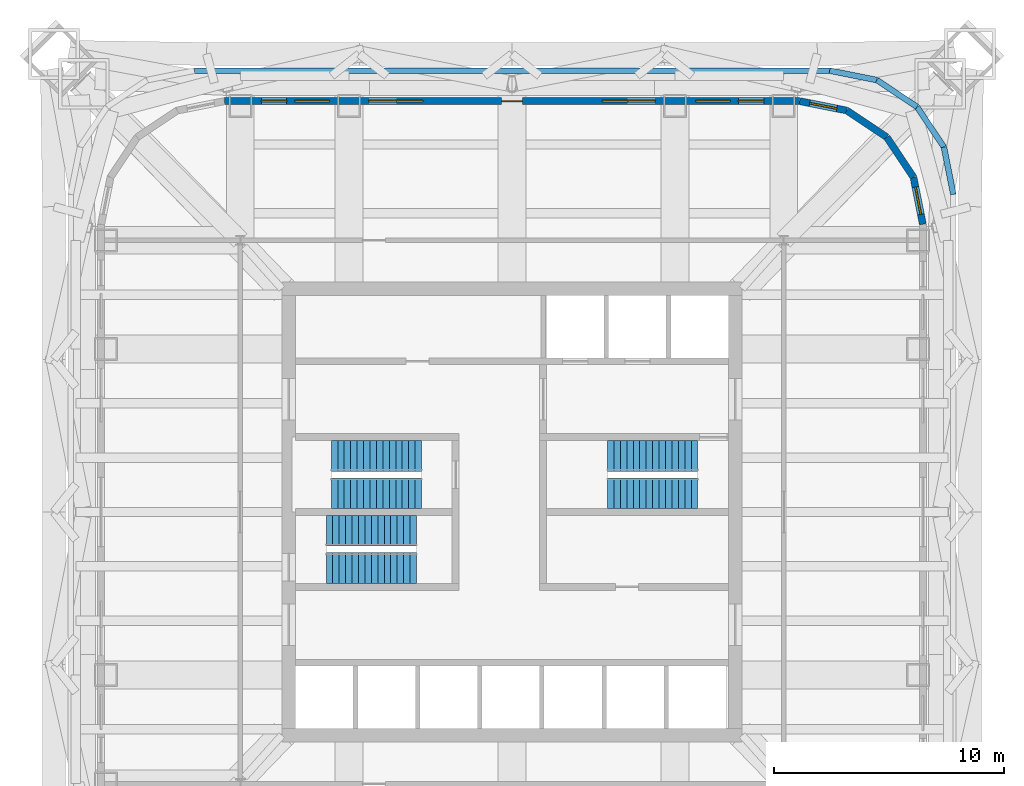
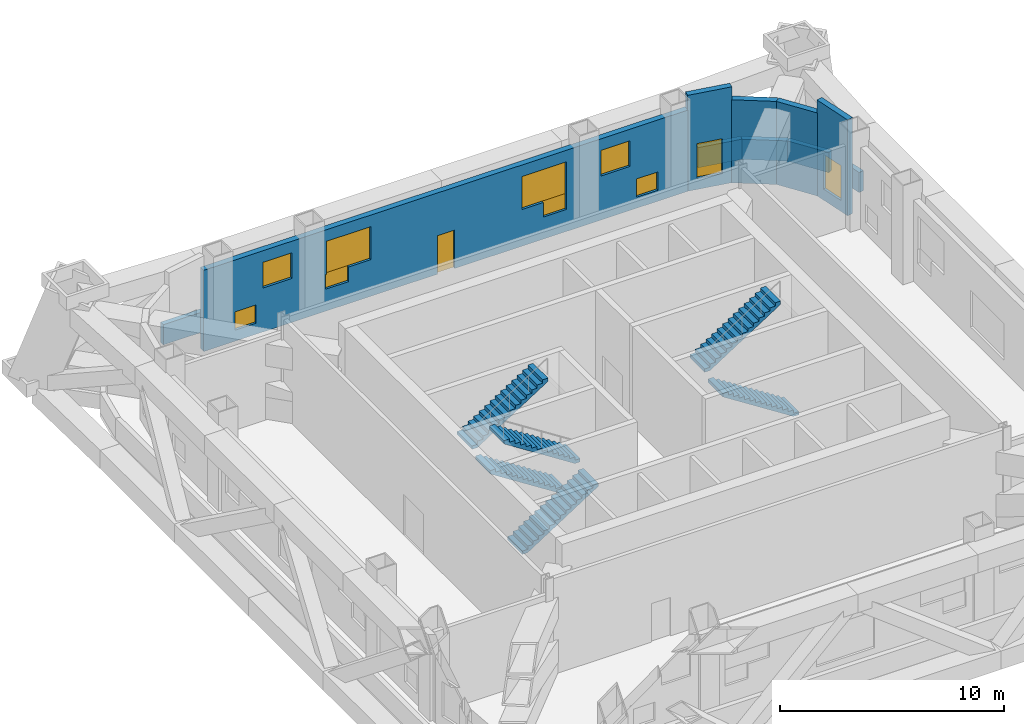
# One storey, part 7 of 9: 10 walls, 10 windows, 6 stair flights, 1 door, 11 openings, 3 elements without a shape of their own.
"""IFC4 building model written with IfcOpenShell, lengths in metres."""

import ifcopenshell
import ifcopenshell.guid

model = None  # the IFC model being written
_history = None  # IfcOwnerHistory: only IFC2X3 demands one
_inside = {}  # id of a spatial element -> (the spatial element, [elements in it])
_under = {}  # id of a project, library or spatial element -> (it, [spatial elements below it])
_declared = {}  # id of a project -> (the project, [libraries it declares])
_typed = {}  # id of a type object -> (the type object, [elements of that type])
_made_of = {}  # id of a material, layer set ... -> (it, [elements and type objects made of it])


def new_model(schema):
    """Start an empty IFC model of exactly this schema.

    Asked for "IFC4X3", IfcOpenShell would pick the latest addendum, in which some entities
    have other attributes; the version numbers below select the first issue.
    IFC2X3 requires an IfcOwnerHistory on every rooted entity: one is made here for all.
    """
    global model, _history
    if schema == "IFC4X3":
        model = ifcopenshell.file(schema_version=(4, 3, 0, 0))
    else:
        model = ifcopenshell.file(schema=schema)
    _inside.clear()
    _under.clear()
    _declared.clear()
    _typed.clear()
    _made_of.clear()
    _history = None
    if model.schema == "IFC2X3":
        org = make("IfcOrganization", Name="unknown")
        user = make(
            "IfcPersonAndOrganization",
            ThePerson=make("IfcPerson", FamilyName="unknown"),
            TheOrganization=org,
        )
        app = make(
            "IfcApplication",
            ApplicationDeveloper=org,
            Version="unknown",
            ApplicationFullName="unknown",
            ApplicationIdentifier="unknown",
        )
        _history = make(
            "IfcOwnerHistory",
            OwningUser=user,
            OwningApplication=app,
            ChangeAction="ADDED",
            CreationDate=0,
        )
    return model


def make(cls, **values):
    """One entity of the class cls with the attributes given. An attribute that is None is left unset."""
    return model.create_entity(
        cls, **{name: value for name, value in values.items() if value is not None}
    )


def rooted(cls, **values):
    """An entity with a GlobalId (a new one), such as an element, a storey or a relation."""
    return make(cls, GlobalId=ifcopenshell.guid.new(), OwnerHistory=_history, **values)


def si_unit(unit_type, name, prefix=None):
    """IfcSIUnit, for example si_unit("LENGTHUNIT", "METRE", prefix="MILLI")."""
    return make("IfcSIUnit", UnitType=unit_type, Prefix=prefix, Name=name)


def assignment(units):
    """IfcUnitAssignment: the units of a project."""
    return None if units is None else make("IfcUnitAssignment", Units=units)


def point(xyz):
    """IfcCartesianPoint."""
    return None if xyz is None else make("IfcCartesianPoint", Coordinates=xyz)


def direction(xyz):
    """IfcDirection."""
    return None if xyz is None else make("IfcDirection", DirectionRatios=xyz)


def frame(location, z_axis=None, x_axis=None):
    """IfcAxis2Placement3D, a coordinate frame: its origin and axes. An axis left out is left unset."""
    return make(
        "IfcAxis2Placement3D",
        Location=point(location),
        Axis=direction(z_axis),
        RefDirection=direction(x_axis),
    )


def frame_2d(location, x_axis=None):
    """IfcAxis2Placement2D, a coordinate frame in the plane: its origin and x axis."""
    return make(
        "IfcAxis2Placement2D", Location=point(location), RefDirection=direction(x_axis)
    )


def origin():
    """The frame at (0, 0, 0) with its axes left unset."""
    return frame((0.0, 0.0, 0.0))


def place(relative_to, where):
    """IfcLocalPlacement: puts the frame where relative to a parent placement (None: the world)."""
    return make(
        "IfcLocalPlacement", PlacementRelTo=relative_to, RelativePlacement=where
    )


def context(
    kind, dimensions, precision=None, world=None, true_north=None, identifier=None
):
    """IfcGeometricRepresentationContext, for example the 3D "Model" context."""
    return make(
        "IfcGeometricRepresentationContext",
        ContextIdentifier=identifier,
        ContextType=kind,
        CoordinateSpaceDimension=dimensions,
        Precision=precision,
        WorldCoordinateSystem=world,
        TrueNorth=true_north,
    )


def subcontext(parent, identifier, kind, view, scale=None):
    """IfcGeometricRepresentationSubContext, for example "Body" below "Model"."""
    return make(
        "IfcGeometricRepresentationSubContext",
        ContextIdentifier=identifier,
        ContextType=kind,
        ParentContext=parent,
        TargetScale=scale,
        TargetView=view,
    )


def project(units=None, contexts=None):
    """IfcProject with its units and contexts."""
    return rooted(
        "IfcProject",
        Name="project",
        RepresentationContexts=contexts,
        UnitsInContext=assignment(units),
    )


def spatial(cls, under=None, at=None, **own):
    """A site, building, storey or space (cls), placed at a placement, below another one or the project."""
    s = rooted(cls, ObjectPlacement=at, **own)
    if under is not None:
        _under.setdefault(under.id(), (under, []))[1].append(s)
    return s


def polyline(points):
    """IfcPolyline through the points."""
    return make("IfcPolyline", Points=[point(p) for p in points])


def profile(cls, at=None, kind="AREA", **sizes):
    """A parametric profile (cls). Its sizes go by their IFC names, for example OverallWidth=200.0."""
    return make(cls, ProfileType=kind, Position=at, **sizes)


def rectangle(**sizes):
    """IfcRectangleProfileDef."""
    return profile("IfcRectangleProfileDef", **sizes)


def outline(outer, holes=None, kind="AREA"):
    """IfcArbitraryClosedProfileDef: a profile drawn as a closed curve; with holes, ...WithVoids."""
    if holes is None:
        return make("IfcArbitraryClosedProfileDef", ProfileType=kind, OuterCurve=outer)
    return make(
        "IfcArbitraryProfileDefWithVoids",
        ProfileType=kind,
        OuterCurve=outer,
        InnerCurves=holes,
    )


def extrude(swept, where, along, depth):
    """IfcExtrudedAreaSolid: the profile swept, set in the frame where, extruded along a direction by depth."""
    return make(
        "IfcExtrudedAreaSolid",
        SweptArea=swept,
        Position=where,
        ExtrudedDirection=direction(along),
        Depth=depth,
    )


def shape(context_of_items, identifier, shape_type, items):
    """IfcShapeRepresentation: the items that make up one representation, for example the "Body"."""
    return make(
        "IfcShapeRepresentation",
        ContextOfItems=context_of_items,
        RepresentationIdentifier=identifier,
        RepresentationType=shape_type,
        Items=items,
    )


def material(Name=None, Category=None):
    """IfcMaterial."""
    return make("IfcMaterial", Name=Name, Category=Category)


def layer(
    of_material, thickness, ventilated=None, Name=None, Category=None, Priority=None
):
    """IfcMaterialLayer: one layer of a wall or slab, of a material (None: an air gap)."""
    return make(
        "IfcMaterialLayer",
        Material=of_material,
        LayerThickness=thickness,
        IsVentilated=ventilated,
        Name=Name,
        Category=Category,
        Priority=Priority,
    )


def layer_set(layers, Name=None):
    """IfcMaterialLayerSet."""
    return make("IfcMaterialLayerSet", MaterialLayers=layers, LayerSetName=Name)


def made_of(thing, what):
    """Note that an element or type object is made of a material, layer set ...; save() writes the relation."""
    if what is not None:
        _made_of.setdefault(what.id(), (what, []))[1].append(thing)
    return thing


def type_object(cls, material=None, **own):
    """A type object (cls), such as IfcWallType, which elements share."""
    return made_of(rooted(cls, **own), material)


def element(
    cls,
    number,
    at=None,
    inside=None,
    cuts=None,
    type_object=None,
    material=None,
    context=None,
    identifier="Body",
    shape_type=None,
    held_by="IfcProductDefinitionShape",
    body=None,
    shapes=None,
    **own,
):
    """One element of the class cls, such as IfcWall. Its Tag is "e" and its number.

    at: its placement. inside: the storey or other place that contains it. cuts: it is an
    opening in that element (IfcRelVoidsElement). A single representation is given by context,
    identifier, shape_type and body (its items); several are given by shapes. held_by: the class
    of the entity that holds the representations. save() writes the other relations.
    """
    e = rooted(cls, Tag="e%d" % number, ObjectPlacement=at, **own)
    if body is not None:
        shapes = [shape(context, identifier, shape_type, body)]
    if shapes is not None:
        e.Representation = make(held_by, Representations=shapes)
    if inside is not None:
        _inside.setdefault(inside.id(), (inside, []))[1].append(e)
    if cuts is not None:
        rooted(
            "IfcRelVoidsElement", RelatingBuildingElement=cuts, RelatedOpeningElement=e
        )
    if type_object is not None:
        _typed.setdefault(type_object.id(), (type_object, []))[1].append(e)
    return made_of(e, material)


def fill(opening, filler):
    """IfcRelFillsElement: the door or window that sits in an opening."""
    return rooted(
        "IfcRelFillsElement",
        RelatingOpeningElement=opening,
        RelatedBuildingElement=filler,
    )


def aggregate(whole, parts):
    """IfcRelAggregates: a whole, such as a stair, and the parts it consists of."""
    return rooted("IfcRelAggregates", RelatingObject=whole, RelatedObjects=parts)


def save(model, path):
    """Write the relations noted so far, then the file.

    IfcRelAggregates (storeys below a building ...), IfcRelContainedInSpatialStructure (elements
    in a storey), IfcRelDefinesByType, IfcRelAssociatesMaterial and IfcRelDeclares: one each for
    every whole, place, type object, material and project.
    """
    for whole, parts in _under.values():
        aggregate(whole, parts)
    for where, things in _inside.values():
        rooted(
            "IfcRelContainedInSpatialStructure",
            RelatedElements=things,
            RelatingStructure=where,
        )
    for kind, things in _typed.values():
        rooted("IfcRelDefinesByType", RelatedObjects=things, RelatingType=kind)
    for what, things in _made_of.values():
        rooted("IfcRelAssociatesMaterial", RelatedObjects=things, RelatingMaterial=what)
    for by, libraries in _declared.values():
        rooted("IfcRelDeclares", RelatingContext=by, RelatedDefinitions=libraries)
    model.write(path)


model = new_model("IFC4")

# Units and contexts
model_context = context("Model", 3, precision=1e-05, world=origin(), true_north=direction((0.0, 1.0)))
body_context = subcontext(model_context, "Body", "Model", "MODEL_VIEW")
ifc_project = project(units=[si_unit("LENGTHUNIT", "METRE"), si_unit("AREAUNIT", "SQUARE_METRE"), si_unit("VOLUMEUNIT", "CUBIC_METRE"), si_unit("PLANEANGLEUNIT", "RADIAN"), si_unit("MASSUNIT", "GRAM", prefix="KILO")], contexts=[model_context])

# Site, building, storey
site_placement = place(None, origin())
site = spatial("IfcSite", under=ifc_project, at=site_placement, CompositionType="ELEMENT")
building_placement = place(site_placement, origin())
building = spatial("IfcBuilding", under=site, at=building_placement, Name="Turquesa Mirador Hotel Tower", CompositionType="ELEMENT")
storey_placement = place(building_placement, frame((0.0, 0.0, 221.300048828125)))
storey = spatial("IfcBuildingStorey", under=building, at=storey_placement, Name="L60", CompositionType="ELEMENT", Elevation=221.300048828125)

# Wall, opening, window
ifc_material_1 = material(Name="Limestone cladding on concrete block", Category="masonry")
ifc_layer_1 = layer(ifc_material_1, 0.300048828125)
ifc_layer_set_1 = layer_set([ifc_layer_1], Name="LOUVRE WALL 300 STONE")
wall_type_1 = type_object("IfcWallType", Name="LOUVRE WALL 300 STONE", PredefinedType="SOLIDWALL", material=ifc_layer_set_1)
wall_1_placement = place(storey_placement, frame((72.85009765625, 57.5, 0.0), z_axis=(0.0, 0.0, 1.0), x_axis=(-0.195081421501, 0.980787050784, 0.0)))
wall_1 = element("IfcWall", 1, at=wall_1_placement, inside=storey, type_object=wall_type_1, Name="Facade wall L60 05", PredefinedType="SOLIDWALL", context=body_context, shape_type="SweptSolid", body=[
    extrude(rectangle(XDim=2.08740234375, YDim=0.300048828125, at=frame_2d((1.043701171875, 0.0))), origin(), (0.0, 0.0, 1.0), 5.22998046875),
])
opening_1_placement = place(wall_1_placement, frame((0.443603515625, 0.0, 0.60009765625)))
opening_1 = element("IfcOpeningElement", 2, at=opening_1_placement, cuts=wall_1, Name="Opening LV9", PredefinedType="OPENING", context=body_context, shape_type="SweptSolid", body=[
    extrude(rectangle(XDim=1.199951171875, YDim=1.89990234375, at=frame_2d((0.60009765625, 0.949951171875))), frame((0.0, 0.159912109375, 0.0), z_axis=(0.0, -1.0, 0.0), x_axis=(1.0, 0.0, 0.0)), (0.0, 0.0, 1.0), 0.320068359375),
])
ifc_material_2 = material(Name="Aluminium extrusion", Category="aluminium")
window_type_1 = type_object("IfcWindowType", Name="PLANT LOUVRE 1200X1900", PartitioningType="SINGLE_PANEL", PredefinedType="USERDEFINED", material=ifc_material_2)
window_1_placement = place(opening_1_placement, origin())
window_1 = element("IfcWindow", 3, at=window_1_placement, inside=storey, type_object=window_type_1, Name="Window L60", ObjectType="LOUVRE", OverallHeight=1.89990234375, OverallWidth=1.199951171875, PartitioningType="SINGLE_PANEL", PredefinedType="USERDEFINED", context=body_context, shape_type="SweptSolid", body=[
    extrude(rectangle(XDim=1.199951171875, YDim=1.89990234375, at=frame_2d((0.60009765625, 0.949951171875))), frame((0.0, 0.030029296875, 0.0), z_axis=(0.0, -1.0, 0.0), x_axis=(1.0, 0.0, 0.0)), (0.0, 0.0, 1.0), 0.06005859375),
])
fill(opening_1, window_1)

# Walls
for number, where, z_axis, x_axis, name in (
    (4, (72.44287109375, 59.54736328125, 0.0), (0.0, 0.0, 1.0), (-0.555644460423, 0.831420010345, 0.0), "Facade wall L60 06"),
    (5, (71.282958984375, 61.282958984375, 0.0), (0.0, 0.0, 1.0), (-0.831420010345, 0.555644460423, 0.0), "Facade wall L60 07"),
):
    element("IfcWall", number, at=place(storey_placement, frame(where, z_axis=z_axis, x_axis=x_axis)), inside=storey, type_object=wall_type_1, Name=name, PredefinedType="SOLIDWALL", context=body_context, shape_type="SweptSolid", body=[
        extrude(rectangle(XDim=2.08740234375, YDim=0.300048828125, at=frame_2d((1.043701171875, 0.0))), origin(), (0.0, 0.0, 1.0), 4.530029296875),
    ])

# Wall, opening, window
wall_2_placement = place(storey_placement, frame((69.54736328125, 62.44287109375, 0.0), z_axis=(0.0, 0.0, 1.0), x_axis=(-0.980787050784, 0.195081421501, 0.0)))
wall_2 = element("IfcWall", 6, at=wall_2_placement, inside=storey, type_object=wall_type_1, Name="Facade wall L60 08", PredefinedType="SOLIDWALL", context=body_context, shape_type="SweptSolid", body=[
    extrude(rectangle(XDim=2.08740234375, YDim=0.300048828125, at=frame_2d((1.043701171875, 0.0))), origin(), (0.0, 0.0, 1.0), 5.22998046875),
])
opening_2_placement = place(wall_2_placement, frame((0.443603515625, 0.0, 0.60009765625)))
opening_2 = element("IfcOpeningElement", 7, at=opening_2_placement, cuts=wall_2, Name="Opening LV9", PredefinedType="OPENING", context=body_context, shape_type="SweptSolid", body=[
    extrude(rectangle(XDim=1.199951171875, YDim=1.89990234375, at=frame_2d((0.60009765625, 0.949951171875))), frame((0.0, 0.159912109375, 0.0), z_axis=(0.0, -1.0, 0.0), x_axis=(1.0, 0.0, 0.0)), (0.0, 0.0, 1.0), 0.320068359375),
])
window_2_placement = place(opening_2_placement, origin())
window_2 = element("IfcWindow", 8, at=window_2_placement, inside=storey, type_object=window_type_1, Name="Window L60", ObjectType="LOUVRE", OverallHeight=1.89990234375, OverallWidth=1.199951171875, PartitioningType="SINGLE_PANEL", PredefinedType="USERDEFINED", context=body_context, shape_type="SweptSolid", body=[
    extrude(rectangle(XDim=1.199951171875, YDim=1.89990234375, at=frame_2d((0.60009765625, 0.949951171875))), frame((0.0, 0.030029296875, 0.0), z_axis=(0.0, -1.0, 0.0), x_axis=(1.0, 0.0, 0.0)), (0.0, 0.0, 1.0), 0.06005859375),
])
fill(opening_2, window_2)

# Wall, openings, windows, door
wall_3_placement = place(storey_placement, frame((67.5, 62.85009765625, 0.0), z_axis=(0.0, 0.0, 1.0), x_axis=(-1.0, 0.0, 0.0)))
wall_3 = element("IfcWall", 9, at=wall_3_placement, inside=storey, type_object=wall_type_1, Name="Facade wall L60 09", PredefinedType="SOLIDWALL", context=body_context, shape_type="SweptSolid", body=[
    extrude(rectangle(XDim=25.0, YDim=0.300048828125, at=frame_2d((12.5, 0.0))), origin(), (0.0, 0.0, 1.0), 4.429931640625),
])
opening_3_placement = place(wall_3_placement, frame((3.010009765625, 0.0, 2.39990234375)))
opening_3 = element("IfcOpeningElement", 10, at=opening_3_placement, cuts=wall_3, Name="Opening LV10", PredefinedType="OPENING", context=body_context, shape_type="SweptSolid", body=[
    extrude(rectangle(XDim=1.5, YDim=1.39990234375, at=frame_2d((0.75, 0.699951171875))), frame((0.0, 0.159912109375, 0.0), z_axis=(0.0, -1.0, 0.0), x_axis=(1.0, 0.0, 0.0)), (0.0, 0.0, 1.0), 0.320068359375),
])
opening_4_placement = place(wall_3_placement, frame((6.280029296875, 0.0, 2.0)))
opening_4 = element("IfcOpeningElement", 11, at=opening_4_placement, cuts=wall_3, Name="Opening LV14", PredefinedType="OPENING", context=body_context, shape_type="SweptSolid", body=[
    extrude(rectangle(XDim=2.300048828125, YDim=1.800048828125, at=frame_2d((1.14990234375, 0.89990234375))), frame((0.0, 0.159912109375, 0.0), z_axis=(0.0, -1.0, 0.0), x_axis=(1.0, 0.0, 0.0)), (0.0, 0.0, 1.0), 0.320068359375),
])
opening_5_placement = place(wall_3_placement, frame((12.050048828125, 0.0, 0.0)))
opening_5 = element("IfcOpeningElement", 12, at=opening_5_placement, cuts=wall_3, Name="Opening D21", PredefinedType="OPENING", context=body_context, shape_type="SweptSolid", body=[
    extrude(rectangle(XDim=0.89990234375, YDim=2.10009765625, at=frame_2d((0.449951171875, 1.050048828125))), frame((0.0, 0.159912109375, 0.0), z_axis=(0.0, -1.0, 0.0), x_axis=(1.0, 0.0, 0.0)), (0.0, 0.0, 1.0), 0.320068359375),
])
opening_6_placement = place(wall_3_placement, frame((16.3701171875, 0.0, 2.0)))
opening_6 = element("IfcOpeningElement", 13, at=opening_6_placement, cuts=wall_3, Name="Opening LV14", PredefinedType="OPENING", context=body_context, shape_type="SweptSolid", body=[
    extrude(rectangle(XDim=2.300048828125, YDim=1.800048828125, at=frame_2d((1.14990234375, 0.89990234375))), frame((0.0, 0.159912109375, 0.0), z_axis=(0.0, -1.0, 0.0), x_axis=(1.0, 0.0, 0.0)), (0.0, 0.0, 1.0), 0.320068359375),
])
opening_7_placement = place(wall_3_placement, frame((20.43994140625, 0.0, 2.39990234375)))
opening_7 = element("IfcOpeningElement", 14, at=opening_7_placement, cuts=wall_3, Name="Opening LV10", PredefinedType="OPENING", context=body_context, shape_type="SweptSolid", body=[
    extrude(rectangle(XDim=1.5, YDim=1.39990234375, at=frame_2d((0.75, 0.699951171875))), frame((0.0, 0.159912109375, 0.0), z_axis=(0.0, -1.0, 0.0), x_axis=(1.0, 0.0, 0.0)), (0.0, 0.0, 1.0), 0.320068359375),
])
opening_8_placement = place(wall_3_placement, frame((1.56005859375, 0.0, 0.60009765625)))
opening_8 = element("IfcOpeningElement", 15, at=opening_8_placement, cuts=wall_3, Name="Opening LV5", PredefinedType="OPENING", context=body_context, shape_type="SweptSolid", body=[
    extrude(rectangle(XDim=1.10009765625, YDim=1.0, at=frame_2d((0.550048828125, 0.5))), frame((0.0, 0.159912109375, 0.0), z_axis=(0.0, -1.0, 0.0), x_axis=(1.0, 0.0, 0.0)), (0.0, 0.0, 1.0), 0.320068359375),
])
opening_9_placement = place(wall_3_placement, frame((6.280029296875, 0.0, 1.199951171875)))
opening_9 = element("IfcOpeningElement", 16, at=opening_9_placement, cuts=wall_3, Name="Opening LV6", PredefinedType="OPENING", context=body_context, shape_type="SweptSolid", body=[
    extrude(rectangle(XDim=1.199951171875, YDim=0.800048828125, at=frame_2d((0.60009765625, 0.39990234375))), frame((0.0, 0.159912109375, 0.0), z_axis=(0.0, -1.0, 0.0), x_axis=(1.0, 0.0, 0.0)), (0.0, 0.0, 1.0), 0.320068359375),
])
opening_10_placement = place(wall_3_placement, frame((17.52001953125, 0.0, 1.199951171875)))
opening_10 = element("IfcOpeningElement", 17, at=opening_10_placement, cuts=wall_3, Name="Opening LV6", PredefinedType="OPENING", context=body_context, shape_type="SweptSolid", body=[
    extrude(rectangle(XDim=1.199951171875, YDim=0.800048828125, at=frame_2d((0.60009765625, 0.39990234375))), frame((0.0, 0.159912109375, 0.0), z_axis=(0.0, -1.0, 0.0), x_axis=(1.0, 0.0, 0.0)), (0.0, 0.0, 1.0), 0.320068359375),
])
opening_11_placement = place(wall_3_placement, frame((22.2900390625, 0.0, 0.60009765625)))
opening_11 = element("IfcOpeningElement", 18, at=opening_11_placement, cuts=wall_3, Name="Opening LV5", PredefinedType="OPENING", context=body_context, shape_type="SweptSolid", body=[
    extrude(rectangle(XDim=1.10009765625, YDim=1.0, at=frame_2d((0.550048828125, 0.5))), frame((0.0, 0.159912109375, 0.0), z_axis=(0.0, -1.0, 0.0), x_axis=(1.0, 0.0, 0.0)), (0.0, 0.0, 1.0), 0.320068359375),
])
ifc_material_3 = material(Name="Aluminium extrusion", Category="aluminium")
window_type_2 = type_object("IfcWindowType", Name="PLANT LOUVRE 1100X1000", PartitioningType="SINGLE_PANEL", PredefinedType="USERDEFINED", material=ifc_material_3)
window_3_placement = place(opening_8_placement, origin())
window_3 = element("IfcWindow", 19, at=window_3_placement, inside=storey, type_object=window_type_2, Name="Window L60", ObjectType="LOUVRE", OverallHeight=1.0, OverallWidth=1.10009765625, PartitioningType="SINGLE_PANEL", PredefinedType="USERDEFINED", context=body_context, shape_type="SweptSolid", body=[
    extrude(rectangle(XDim=1.10009765625, YDim=1.0, at=frame_2d((0.550048828125, 0.5))), frame((0.0, 0.030029296875, 0.0), z_axis=(0.0, -1.0, 0.0), x_axis=(1.0, 0.0, 0.0)), (0.0, 0.0, 1.0), 0.06005859375),
])
fill(opening_8, window_3)
window_4_placement = place(opening_11_placement, origin())
window_4 = element("IfcWindow", 20, at=window_4_placement, inside=storey, type_object=window_type_2, Name="Window L60", ObjectType="LOUVRE", OverallHeight=1.0, OverallWidth=1.10009765625, PartitioningType="SINGLE_PANEL", PredefinedType="USERDEFINED", context=body_context, shape_type="SweptSolid", body=[
    extrude(rectangle(XDim=1.10009765625, YDim=1.0, at=frame_2d((0.550048828125, 0.5))), frame((0.0, 0.030029296875, 0.0), z_axis=(0.0, -1.0, 0.0), x_axis=(1.0, 0.0, 0.0)), (0.0, 0.0, 1.0), 0.06005859375),
])
fill(opening_11, window_4)
ifc_material_4 = material(Name="Aluminium extrusion", Category="aluminium")
window_type_3 = type_object("IfcWindowType", Name="PLANT LOUVRE 1200X800", PartitioningType="SINGLE_PANEL", PredefinedType="USERDEFINED", material=ifc_material_4)
window_5_placement = place(opening_9_placement, origin())
window_5 = element("IfcWindow", 21, at=window_5_placement, inside=storey, type_object=window_type_3, Name="Window L60", ObjectType="LOUVRE", OverallHeight=0.800048828125, OverallWidth=1.199951171875, PartitioningType="SINGLE_PANEL", PredefinedType="USERDEFINED", context=body_context, shape_type="SweptSolid", body=[
    extrude(rectangle(XDim=1.199951171875, YDim=0.800048828125, at=frame_2d((0.60009765625, 0.39990234375))), frame((0.0, 0.030029296875, 0.0), z_axis=(0.0, -1.0, 0.0), x_axis=(1.0, 0.0, 0.0)), (0.0, 0.0, 1.0), 0.06005859375),
])
fill(opening_9, window_5)
window_6_placement = place(opening_10_placement, origin())
window_6 = element("IfcWindow", 22, at=window_6_placement, inside=storey, type_object=window_type_3, Name="Window L60", ObjectType="LOUVRE", OverallHeight=0.800048828125, OverallWidth=1.199951171875, PartitioningType="SINGLE_PANEL", PredefinedType="USERDEFINED", context=body_context, shape_type="SweptSolid", body=[
    extrude(rectangle(XDim=1.199951171875, YDim=0.800048828125, at=frame_2d((0.60009765625, 0.39990234375))), frame((0.0, 0.030029296875, 0.0), z_axis=(0.0, -1.0, 0.0), x_axis=(1.0, 0.0, 0.0)), (0.0, 0.0, 1.0), 0.06005859375),
])
fill(opening_10, window_6)
ifc_material_5 = material(Name="Aluminium extrusion", Category="aluminium")
window_type_4 = type_object("IfcWindowType", Name="PLANT LOUVRE 1500X1400", PartitioningType="SINGLE_PANEL", PredefinedType="USERDEFINED", material=ifc_material_5)
window_7_placement = place(opening_3_placement, origin())
window_7 = element("IfcWindow", 23, at=window_7_placement, inside=storey, type_object=window_type_4, Name="Window L60", ObjectType="LOUVRE", OverallHeight=1.39990234375, OverallWidth=1.5, PartitioningType="SINGLE_PANEL", PredefinedType="USERDEFINED", context=body_context, shape_type="SweptSolid", body=[
    extrude(rectangle(XDim=1.5, YDim=1.39990234375, at=frame_2d((0.75, 0.699951171875))), frame((0.0, 0.030029296875, 0.0), z_axis=(0.0, -1.0, 0.0), x_axis=(1.0, 0.0, 0.0)), (0.0, 0.0, 1.0), 0.06005859375),
])
fill(opening_3, window_7)
window_8_placement = place(opening_7_placement, origin())
window_8 = element("IfcWindow", 24, at=window_8_placement, inside=storey, type_object=window_type_4, Name="Window L60", ObjectType="LOUVRE", OverallHeight=1.39990234375, OverallWidth=1.5, PartitioningType="SINGLE_PANEL", PredefinedType="USERDEFINED", context=body_context, shape_type="SweptSolid", body=[
    extrude(rectangle(XDim=1.5, YDim=1.39990234375, at=frame_2d((0.75, 0.699951171875))), frame((0.0, 0.030029296875, 0.0), z_axis=(0.0, -1.0, 0.0), x_axis=(1.0, 0.0, 0.0)), (0.0, 0.0, 1.0), 0.06005859375),
])
fill(opening_7, window_8)
ifc_material_6 = material(Name="Aluminium extrusion", Category="aluminium")
window_type_5 = type_object("IfcWindowType", Name="PLANT LOUVRE 2300X1800", PartitioningType="SINGLE_PANEL", PredefinedType="USERDEFINED", material=ifc_material_6)
window_9_placement = place(opening_4_placement, origin())
window_9 = element("IfcWindow", 25, at=window_9_placement, inside=storey, type_object=window_type_5, Name="Window L60", ObjectType="LOUVRE", OverallHeight=1.800048828125, OverallWidth=2.300048828125, PartitioningType="SINGLE_PANEL", PredefinedType="USERDEFINED", context=body_context, shape_type="SweptSolid", body=[
    extrude(rectangle(XDim=2.300048828125, YDim=1.800048828125, at=frame_2d((1.14990234375, 0.89990234375))), frame((0.0, 0.030029296875, 0.0), z_axis=(0.0, -1.0, 0.0), x_axis=(1.0, 0.0, 0.0)), (0.0, 0.0, 1.0), 0.06005859375),
])
fill(opening_4, window_9)
window_10_placement = place(opening_6_placement, origin())
window_10 = element("IfcWindow", 26, at=window_10_placement, inside=storey, type_object=window_type_5, Name="Window L60", ObjectType="LOUVRE", OverallHeight=1.800048828125, OverallWidth=2.300048828125, PartitioningType="SINGLE_PANEL", PredefinedType="USERDEFINED", context=body_context, shape_type="SweptSolid", body=[
    extrude(rectangle(XDim=2.300048828125, YDim=1.800048828125, at=frame_2d((1.14990234375, 0.89990234375))), frame((0.0, 0.030029296875, 0.0), z_axis=(0.0, -1.0, 0.0), x_axis=(1.0, 0.0, 0.0)), (0.0, 0.0, 1.0), 0.06005859375),
])
fill(opening_6, window_10)
ifc_material_7 = material(Name="Galvanised steel door, weather-stripped", Category="steel")
door_type = type_object("IfcDoorType", Name="ROOF ACCESS DOOR 900X2100 MAINTENANCE ONLY", OperationType="SINGLE_SWING_LEFT", PredefinedType="DOOR", material=ifc_material_7)
door_placement = place(opening_5_placement, origin())
door = element("IfcDoor", 27, at=door_placement, inside=storey, type_object=door_type, Name="Roof access door (maintenance only) L60", OperationType="SINGLE_SWING_LEFT", OverallHeight=2.10009765625, OverallWidth=0.89990234375, PredefinedType="DOOR", context=body_context, shape_type="SweptSolid", body=[
    extrude(rectangle(XDim=0.89990234375, YDim=2.10009765625, at=frame_2d((0.449951171875, 1.050048828125))), frame((0.0, 0.02490234375, 0.0), z_axis=(0.0, -1.0, 0.0), x_axis=(1.0, 0.0, 0.0)), (0.0, 0.0, 1.0), 0.050048828125),
])
fill(opening_5, door)

# Walls
ifc_material_8 = material(Name="Limestone cladding on concrete block", Category="masonry")
ifc_layer_2 = layer(ifc_material_8, 0.25)
ifc_layer_set_2 = layer_set([ifc_layer_2], Name="PARAPET 250 STONE")
wall_type_2 = type_object("IfcWallType", Name="PARAPET 250 STONE", PredefinedType="PARAPET", material=ifc_layer_set_2)
for number, where, z_axis, x_axis, name in (
    (28, (74.175048828125, 58.800048828125, 0.0), (0.0, 0.0, 1.0), (-0.195108609271, 0.980781642665, 0.0), "Maintenance roof parapet L60"),
    (29, (73.765869140625, 60.85693359375, 0.0), (0.0, 0.0, 1.0), (-0.555640102334, 0.831422922873, 0.0), "Maintenance roof parapet L60"),
    (30, (72.6005859375, 62.6005859375, 0.0), (0.0, 0.0, 1.0), (-0.831422922873, 0.555640102334, 0.0), "Maintenance roof parapet L60"),
    (31, (70.85693359375, 63.765869140625, 0.0), (0.0, 0.0, 1.0), (-0.980781642665, 0.195108609271, 0.0), "Maintenance roof parapet L60"),
):
    element("IfcWall", number, at=place(storey_placement, frame(where, z_axis=z_axis, x_axis=x_axis)), inside=storey, type_object=wall_type_2, Name=name, PredefinedType="PARAPET", context=body_context, shape_type="SweptSolid", body=[
        extrude(rectangle(XDim=2.09716796875, YDim=0.25, at=frame_2d((1.048583984375, 0.0))), origin(), (0.0, 0.0, 1.0), 1.099853515625),
    ])
wall_4_placement = place(storey_placement, frame((68.800048828125, 64.175048828125, 0.0), z_axis=(0.0, 0.0, 1.0), x_axis=(-1.0, 0.0, 0.0)))
element("IfcWall", 32, at=wall_4_placement, inside=storey, type_object=wall_type_2, Name="Maintenance roof parapet L60", PredefinedType="PARAPET", context=body_context, shape_type="SweptSolid", body=[
    extrude(rectangle(XDim=27.60009765625, YDim=0.25, at=frame_2d((13.800048828125, 0.0))), origin(), (0.0, 0.0, 1.0), 1.099853515625),
])

# Stair, stair flights
ifc_material_9 = material(Name="Concrete C35/45", Category="concrete")
stair_type = type_object("IfcStairType", Name="ESCAPE STAIR CORE", PredefinedType="HALF_TURN_STAIR", material=ifc_material_9)
stair_1_placement = place(storey_placement, origin())
stair_1 = element("IfcStair", 33, at=stair_1_placement, inside=storey, type_object=stair_type, Name="Stair ST1 L60 to L61", PredefinedType="HALF_TURN_STAIR")
ifc_material_10 = material(Name="Concrete C35/45 precast flight", Category="concrete")
stair_flight_type = type_object("IfcStairFlightType", Name="STAIR FLIGHT 1330", PredefinedType="STRAIGHT", material=ifc_material_10)
stair_flight_1_placement = place(storey_placement, frame((51.070068359375, 45.81494140625, 0.0), z_axis=(0.0, 0.0, 1.0), x_axis=(-1.0, 0.0, 0.0)))
stair_flight_1 = element("IfcStairFlight", 34, at=stair_flight_1_placement, type_object=stair_flight_type, Name="ST1 flight 1", NumberOfRisers=15, NumberOfTreads=14, PredefinedType="STRAIGHT", RiserHeight=0.18, TreadLength=0.28, context=body_context, shape_type="SweptSolid", body=[
    extrude(outline(polyline([(0.0, 0.0), (0.0, 0.179931640625), (0.280029296875, 0.179931640625), (0.280029296875, 0.360107421875), (0.56005859375, 0.360107421875), (0.56005859375, 0.5400390625), (0.840087890625, 0.5400390625), (0.840087890625, 0.719970703125), (1.1201171875, 0.719970703125), (1.1201171875, 0.89990234375), (1.39990234375, 0.89990234375), (1.39990234375, 1.080078125), (1.679931640625, 1.080078125), (1.679931640625, 1.260009765625), (1.9599609375, 1.260009765625), (1.9599609375, 1.43994140625), (2.239990234375, 1.43994140625), (2.239990234375, 1.6201171875), (2.52001953125, 1.6201171875), (2.52001953125, 1.800048828125), (2.800048828125, 1.800048828125), (2.800048828125, 1.97998046875), (3.080078125, 1.97998046875), (3.080078125, 2.159912109375), (3.360107421875, 2.159912109375), (3.360107421875, 2.340087890625), (3.639892578125, 2.340087890625), (3.639892578125, 2.52001953125), (3.919921875, 2.52001953125), (3.919921875, 2.699951171875), (3.919921875, 2.341796875), (0.277099609375, 0.0), (0.0, 0.0)])), frame((0.0, 0.6650390625, 0.0), z_axis=(0.0, -1.0, 0.0), x_axis=(1.0, 0.0, 0.0)), (0.0, 0.0, 1.0), 1.330078125),
])
stair_flight_2_placement = place(storey_placement, frame((47.14990234375, 47.43505859375, 2.699951171875), z_axis=(0.0, 0.0, 1.0), x_axis=(1.0, 0.0, 0.0)))
stair_flight_2 = element("IfcStairFlight", 35, at=stair_flight_2_placement, type_object=stair_flight_type, Name="ST1 flight 2", NumberOfRisers=15, NumberOfTreads=14, PredefinedType="STRAIGHT", RiserHeight=0.18, TreadLength=0.28, context=body_context, shape_type="SweptSolid", body=[
    extrude(outline(polyline([(0.0, 0.0), (0.0, 0.179931640625), (0.280029296875, 0.179931640625), (0.280029296875, 0.360107421875), (0.56005859375, 0.360107421875), (0.56005859375, 0.5400390625), (0.840087890625, 0.5400390625), (0.840087890625, 0.719970703125), (1.1201171875, 0.719970703125), (1.1201171875, 0.89990234375), (1.39990234375, 0.89990234375), (1.39990234375, 1.080078125), (1.679931640625, 1.080078125), (1.679931640625, 1.260009765625), (1.9599609375, 1.260009765625), (1.9599609375, 1.43994140625), (2.239990234375, 1.43994140625), (2.239990234375, 1.6201171875), (2.52001953125, 1.6201171875), (2.52001953125, 1.800048828125), (2.800048828125, 1.800048828125), (2.800048828125, 1.97998046875), (3.080078125, 1.97998046875), (3.080078125, 2.159912109375), (3.360107421875, 2.159912109375), (3.360107421875, 2.340087890625), (3.639892578125, 2.340087890625), (3.639892578125, 2.52001953125), (3.919921875, 2.52001953125), (3.919921875, 2.699951171875), (3.919921875, 2.341796875), (0.277099609375, 0.0), (0.0, 0.0)])), frame((0.0, 0.6650390625, 0.0), z_axis=(0.0, -1.0, 0.0), x_axis=(1.0, 0.0, 0.0)), (0.0, 0.0, 1.0), 1.330078125),
])
aggregate(stair_1, [stair_flight_1, stair_flight_2])

stair_2_placement = place(storey_placement, origin())
stair_2 = element("IfcStair", 36, at=stair_2_placement, inside=storey, type_object=stair_type, Name="Stair ST2 L60 to L61", PredefinedType="HALF_TURN_STAIR")
stair_flight_3_placement = place(storey_placement, frame((46.929931640625, 42.56494140625, 0.0), z_axis=(0.0, 0.0, 1.0), x_axis=(1.0, 0.0, 0.0)))
stair_flight_3 = element("IfcStairFlight", 37, at=stair_flight_3_placement, type_object=stair_flight_type, Name="ST2 flight 1", NumberOfRisers=15, NumberOfTreads=14, PredefinedType="STRAIGHT", RiserHeight=0.18, TreadLength=0.28, context=body_context, shape_type="SweptSolid", body=[
    extrude(outline(polyline([(0.0, 0.0), (0.0, 0.179931640625), (0.280029296875, 0.179931640625), (0.280029296875, 0.360107421875), (0.56005859375, 0.360107421875), (0.56005859375, 0.5400390625), (0.840087890625, 0.5400390625), (0.840087890625, 0.719970703125), (1.1201171875, 0.719970703125), (1.1201171875, 0.89990234375), (1.39990234375, 0.89990234375), (1.39990234375, 1.080078125), (1.679931640625, 1.080078125), (1.679931640625, 1.260009765625), (1.9599609375, 1.260009765625), (1.9599609375, 1.43994140625), (2.239990234375, 1.43994140625), (2.239990234375, 1.6201171875), (2.52001953125, 1.6201171875), (2.52001953125, 1.800048828125), (2.800048828125, 1.800048828125), (2.800048828125, 1.97998046875), (3.080078125, 1.97998046875), (3.080078125, 2.159912109375), (3.360107421875, 2.159912109375), (3.360107421875, 2.340087890625), (3.639892578125, 2.340087890625), (3.639892578125, 2.52001953125), (3.919921875, 2.52001953125), (3.919921875, 2.699951171875), (3.919921875, 2.341796875), (0.277099609375, 0.0), (0.0, 0.0)])), frame((0.0, 0.6650390625, 0.0), z_axis=(0.0, -1.0, 0.0), x_axis=(1.0, 0.0, 0.0)), (0.0, 0.0, 1.0), 1.330078125),
])
stair_flight_4_placement = place(storey_placement, frame((50.85009765625, 44.18505859375, 2.699951171875), z_axis=(0.0, 0.0, 1.0), x_axis=(-1.0, 0.0, 0.0)))
stair_flight_4 = element("IfcStairFlight", 38, at=stair_flight_4_placement, type_object=stair_flight_type, Name="ST2 flight 2", NumberOfRisers=15, NumberOfTreads=14, PredefinedType="STRAIGHT", RiserHeight=0.18, TreadLength=0.28, context=body_context, shape_type="SweptSolid", body=[
    extrude(outline(polyline([(0.0, 0.0), (0.0, 0.179931640625), (0.280029296875, 0.179931640625), (0.280029296875, 0.360107421875), (0.56005859375, 0.360107421875), (0.56005859375, 0.5400390625), (0.840087890625, 0.5400390625), (0.840087890625, 0.719970703125), (1.1201171875, 0.719970703125), (1.1201171875, 0.89990234375), (1.39990234375, 0.89990234375), (1.39990234375, 1.080078125), (1.679931640625, 1.080078125), (1.679931640625, 1.260009765625), (1.9599609375, 1.260009765625), (1.9599609375, 1.43994140625), (2.239990234375, 1.43994140625), (2.239990234375, 1.6201171875), (2.52001953125, 1.6201171875), (2.52001953125, 1.800048828125), (2.800048828125, 1.800048828125), (2.800048828125, 1.97998046875), (3.080078125, 1.97998046875), (3.080078125, 2.159912109375), (3.360107421875, 2.159912109375), (3.360107421875, 2.340087890625), (3.639892578125, 2.340087890625), (3.639892578125, 2.52001953125), (3.919921875, 2.52001953125), (3.919921875, 2.699951171875), (3.919921875, 2.341796875), (0.277099609375, 0.0), (0.0, 0.0)])), frame((0.0, 0.6650390625, 0.0), z_axis=(0.0, -1.0, 0.0), x_axis=(1.0, 0.0, 0.0)), (0.0, 0.0, 1.0), 1.330078125),
])
aggregate(stair_2, [stair_flight_3, stair_flight_4])

stair_3_placement = place(storey_placement, origin())
stair_3 = element("IfcStair", 39, at=stair_3_placement, inside=storey, type_object=stair_type, Name="Stair ST3 L60 to L61", PredefinedType="HALF_TURN_STAIR")
stair_flight_5_placement = place(storey_placement, frame((63.070068359375, 45.81494140625, 0.0), z_axis=(0.0, 0.0, 1.0), x_axis=(-1.0, 0.0, 0.0)))
stair_flight_5 = element("IfcStairFlight", 40, at=stair_flight_5_placement, type_object=stair_flight_type, Name="ST3 flight 1", NumberOfRisers=15, NumberOfTreads=14, PredefinedType="STRAIGHT", RiserHeight=0.18, TreadLength=0.28, context=body_context, shape_type="SweptSolid", body=[
    extrude(outline(polyline([(0.0, 0.0), (0.0, 0.179931640625), (0.280029296875, 0.179931640625), (0.280029296875, 0.360107421875), (0.56005859375, 0.360107421875), (0.56005859375, 0.5400390625), (0.840087890625, 0.5400390625), (0.840087890625, 0.719970703125), (1.1201171875, 0.719970703125), (1.1201171875, 0.89990234375), (1.39990234375, 0.89990234375), (1.39990234375, 1.080078125), (1.679931640625, 1.080078125), (1.679931640625, 1.260009765625), (1.9599609375, 1.260009765625), (1.9599609375, 1.43994140625), (2.239990234375, 1.43994140625), (2.239990234375, 1.6201171875), (2.52001953125, 1.6201171875), (2.52001953125, 1.800048828125), (2.800048828125, 1.800048828125), (2.800048828125, 1.97998046875), (3.080078125, 1.97998046875), (3.080078125, 2.159912109375), (3.360107421875, 2.159912109375), (3.360107421875, 2.340087890625), (3.639892578125, 2.340087890625), (3.639892578125, 2.52001953125), (3.919921875, 2.52001953125), (3.919921875, 2.699951171875), (3.919921875, 2.341796875), (0.277099609375, 0.0), (0.0, 0.0)])), frame((0.0, 0.6650390625, 0.0), z_axis=(0.0, -1.0, 0.0), x_axis=(1.0, 0.0, 0.0)), (0.0, 0.0, 1.0), 1.330078125),
])
stair_flight_6_placement = place(storey_placement, frame((59.14990234375, 47.43505859375, 2.699951171875), z_axis=(0.0, 0.0, 1.0), x_axis=(1.0, 0.0, 0.0)))
stair_flight_6 = element("IfcStairFlight", 41, at=stair_flight_6_placement, type_object=stair_flight_type, Name="ST3 flight 2", NumberOfRisers=15, NumberOfTreads=14, PredefinedType="STRAIGHT", RiserHeight=0.18, TreadLength=0.28, context=body_context, shape_type="SweptSolid", body=[
    extrude(outline(polyline([(0.0, 0.0), (0.0, 0.179931640625), (0.280029296875, 0.179931640625), (0.280029296875, 0.360107421875), (0.56005859375, 0.360107421875), (0.56005859375, 0.5400390625), (0.840087890625, 0.5400390625), (0.840087890625, 0.719970703125), (1.1201171875, 0.719970703125), (1.1201171875, 0.89990234375), (1.39990234375, 0.89990234375), (1.39990234375, 1.080078125), (1.679931640625, 1.080078125), (1.679931640625, 1.260009765625), (1.9599609375, 1.260009765625), (1.9599609375, 1.43994140625), (2.239990234375, 1.43994140625), (2.239990234375, 1.6201171875), (2.52001953125, 1.6201171875), (2.52001953125, 1.800048828125), (2.800048828125, 1.800048828125), (2.800048828125, 1.97998046875), (3.080078125, 1.97998046875), (3.080078125, 2.159912109375), (3.360107421875, 2.159912109375), (3.360107421875, 2.340087890625), (3.639892578125, 2.340087890625), (3.639892578125, 2.52001953125), (3.919921875, 2.52001953125), (3.919921875, 2.699951171875), (3.919921875, 2.341796875), (0.277099609375, 0.0), (0.0, 0.0)])), frame((0.0, 0.6650390625, 0.0), z_axis=(0.0, -1.0, 0.0), x_axis=(1.0, 0.0, 0.0)), (0.0, 0.0, 1.0), 1.330078125),
])
aggregate(stair_3, [stair_flight_5, stair_flight_6])

save(model, "model.ifc")
